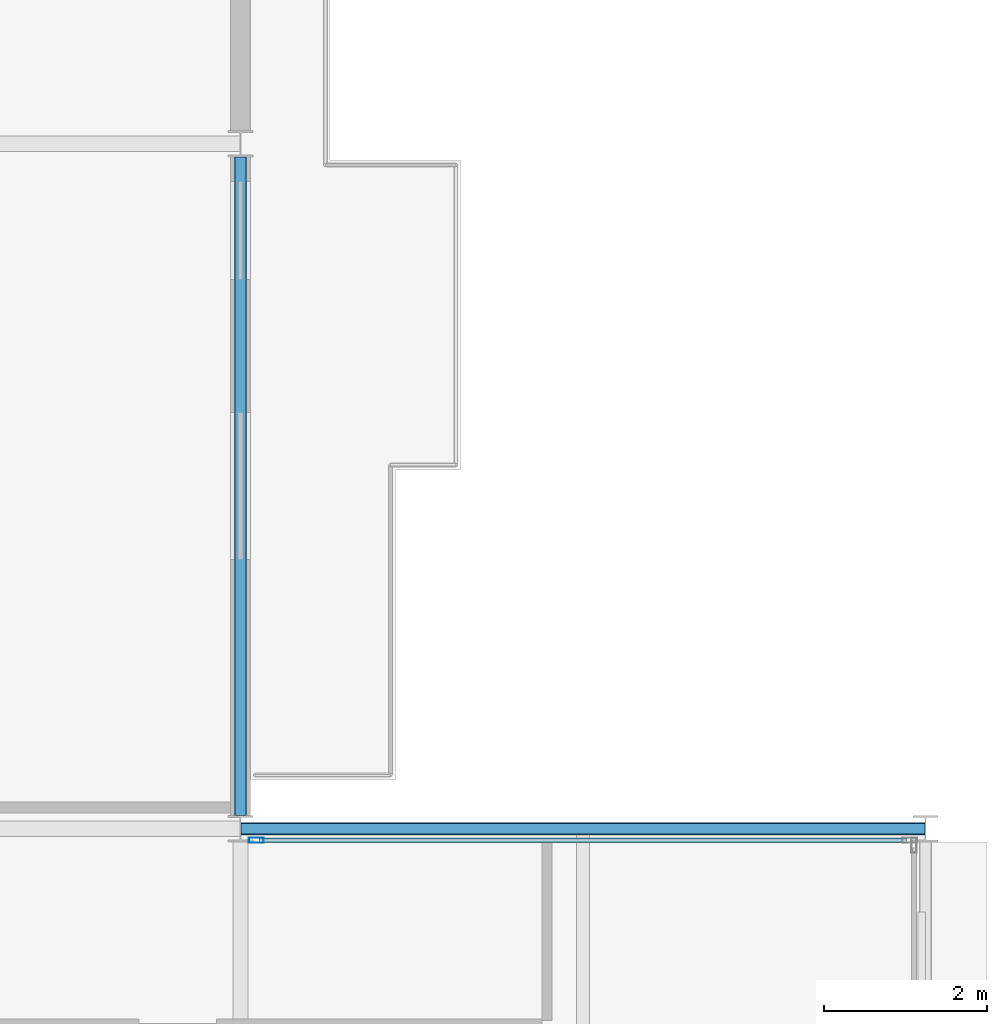
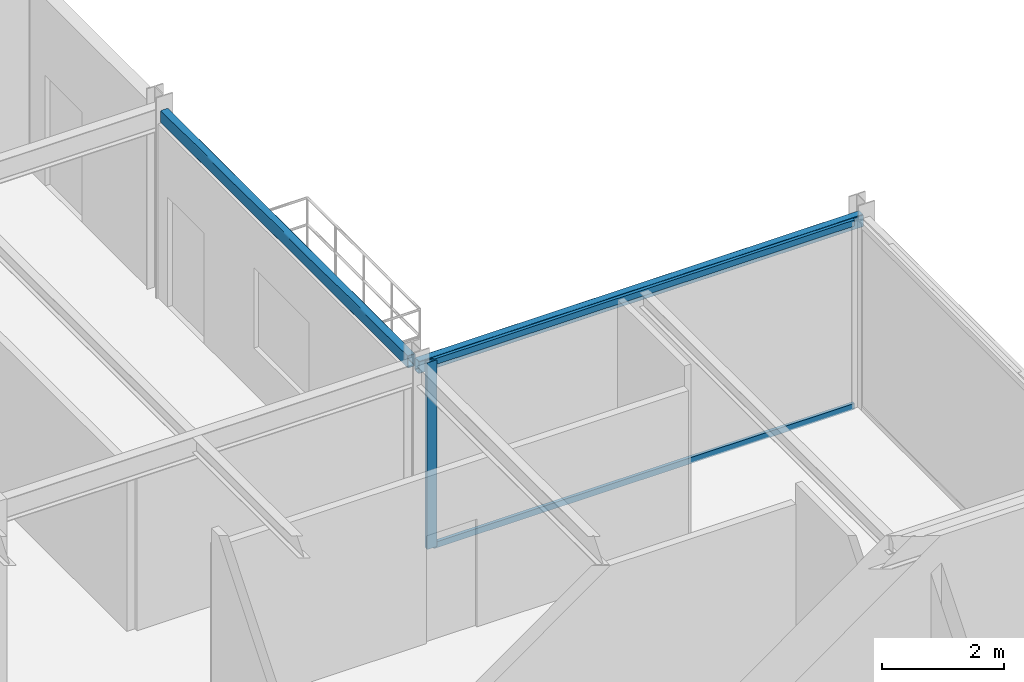
# One storey, part 13 of 25: 3 members, 2 beams, 1 element without a shape of its own.
"""IFC4 building model written with IfcOpenShell, lengths in metres."""

from ifc_helpers import new_model, si_unit, direction, frame, origin, origin_2d, place, context, subcontext, project, spatial, hollow_rectangle, extrude, material, layer, layer_set, material_profile, profile_set, type_object, element, aggregate, save


model = new_model("IFC4")

# Units and contexts
model_context = context("Model", 3, precision=1e-05, world=origin(), true_north=direction((0.0, 1.0)))
body_context = subcontext(model_context, "Body", "Model", "MODEL_VIEW")
ifc_project = project(units=[si_unit("LENGTHUNIT", "METRE"), si_unit("AREAUNIT", "SQUARE_METRE"), si_unit("VOLUMEUNIT", "CUBIC_METRE"), si_unit("PLANEANGLEUNIT", "RADIAN"), si_unit("MASSUNIT", "GRAM", prefix="KILO")], contexts=[model_context])

# Site, building, storey
site_placement = place(None, origin())
site = spatial("IfcSite", under=ifc_project, at=site_placement, CompositionType="ELEMENT")
building_placement = place(site_placement, origin())
building = spatial("IfcBuilding", under=site, at=building_placement, Name="Nerrivon Quay Data Exchange", CompositionType="ELEMENT")
storey_placement = place(building_placement, frame((0.0, 0.0, 302.199951171875)))
storey = spatial("IfcBuildingStorey", under=building, at=storey_placement, Name="L72", CompositionType="ELEMENT", Elevation=302.199951171875)

# Beams
ifc_material_1 = material(Name="Steel Grade C350L0 (350 MPa)", Category="steel")
ifc_material_profile_1 = material_profile(ifc_material_1, hollow_rectangle(XDim=0.14990234375, YDim=0.25, WallThickness=0.009033203125, InnerFilletRadius=0.013427734375, OuterFilletRadius=0.0224609375, at=origin_2d()), Name="250x150x9.0RHS")
ifc_profile_set_1 = profile_set([ifc_material_profile_1], Name="Steel Grade C350L0 (350 MPa)")
beam_type = type_object("IfcBeamType", Name="BM-SP4-250x150RHS", PredefinedType="SPANDREL", material=ifc_profile_set_1)
beam_1_placement = place(storey_placement, frame((25.2080078125, 25.199951171875, 3.60009765625), z_axis=(1.0, 0.0, 0.0), x_axis=(0.0, 1.0, 0.0)))
element("IfcBeam", 1, at=beam_1_placement, inside=storey, type_object=beam_type, Name="L72 EW Girder Y=25.2 (25.2..33.6)", PredefinedType="SPANDREL", context=body_context, shape_type="SweptSolid", body=[
    extrude(hollow_rectangle(XDim=0.14990234375, YDim=0.25, WallThickness=0.009033203125, InnerFilletRadius=0.013427734375, OuterFilletRadius=0.0224609375, at=origin_2d()), origin(), (0.0, 0.0, 1.0), 8.38427734375),
])
beam_2_placement = place(storey_placement, frame((25.199951171875, 25.363525390625, 3.60009765625), z_axis=(0.0, 1.0, 0.0), x_axis=(-1.0, 0.0, 0.0)))
element("IfcBeam", 2, at=beam_2_placement, inside=storey, type_object=beam_type, Name="L72 NS Girder X=25.2 (25.2..33.6)", PredefinedType="SPANDREL", context=body_context, shape_type="SweptSolid", body=[
    extrude(hollow_rectangle(XDim=0.14990234375, YDim=0.25, WallThickness=0.009033203125, InnerFilletRadius=0.013427734375, OuterFilletRadius=0.0224609375, at=origin_2d()), origin(), (0.0, 0.0, 1.0), 8.072998046875),
])

# Curtain wall, members
ifc_material_2 = material(Name="Anodised aluminium 6063-T6", Category="aluminium")
ifc_layer = layer(ifc_material_2, 0.195068359375)
ifc_layer_set = layer_set([ifc_layer], Name="Anodised aluminium 6063-T6")
curtain_wall_type = type_object("IfcCurtainWallType", Name="CW-SYS-06", PredefinedType="NOTDEFINED", material=ifc_layer_set)
curtain_wall_placement = place(storey_placement, origin())
curtain_wall = element("IfcCurtainWall", 3, at=curtain_wall_placement, inside=storey, type_object=curtain_wall_type, Name="L72 Unitised Curtain Wall 21", PredefinedType="NOTDEFINED")
ifc_material_profile_2 = material_profile(ifc_material_2, hollow_rectangle(XDim=0.06494140625, YDim=0.179931640625, WallThickness=0.00341796875, at=origin_2d()), Name="ALU-MULL-180x65")
ifc_profile_set_2 = profile_set([ifc_material_profile_2], Name="Anodised aluminium 6063-T6")
member_type_1 = type_object("IfcMemberType", Name="CWM-180x65", PredefinedType="MULLION", material=ifc_profile_set_2)
member_1_placement = place(storey_placement, frame((25.39306640625, 25.06005859375, 0.0), z_axis=(0.0, 0.0, 1.0), x_axis=(0.0, 1.0, 0.0)))
member_1 = element("IfcMember", 4, at=member_1_placement, type_object=member_type_1, Name="CW06 mullion 1", PredefinedType="MULLION", context=body_context, shape_type="SweptSolid", body=[
    extrude(hollow_rectangle(XDim=0.06494140625, YDim=0.179931640625, WallThickness=0.00341796875, at=origin_2d()), origin(), (0.0, 0.0, 1.0), 3.72509765625),
])
ifc_material_profile_3 = material_profile(ifc_material_2, hollow_rectangle(XDim=0.06005859375, YDim=0.1201171875, WallThickness=0.003173828125, at=origin_2d()), Name="ALU-TRAN-120x60")
ifc_profile_set_3 = profile_set([ifc_material_profile_3], Name="Anodised aluminium 6063-T6")
member_type_2 = type_object("IfcMemberType", Name="CWT-120x60", PredefinedType="USERDEFINED", material=ifc_profile_set_3)
member_2_placement = place(storey_placement, frame((25.430419921875, 25.06005859375, 0.032470703125), z_axis=(1.0, 0.0, 0.0), x_axis=(0.0, 1.0, 0.0)))
member_2 = element("IfcMember", 5, at=member_2_placement, type_object=member_type_2, Name="CW06 transom 1.1", ObjectType="TRANSOM", PredefinedType="USERDEFINED", context=body_context, shape_type="SweptSolid", body=[
    extrude(hollow_rectangle(XDim=0.06005859375, YDim=0.1201171875, WallThickness=0.003173828125, at=origin_2d()), origin(), (0.0, 0.0, 1.0), 7.93896484375),
])
member_3_placement = place(storey_placement, frame((25.430419921875, 25.06005859375, 3.692626953125), z_axis=(1.0, 0.0, 0.0), x_axis=(0.0, 1.0, 0.0)))
member_3 = element("IfcMember", 6, at=member_3_placement, type_object=member_type_2, Name="CW06 transom 1.2", ObjectType="TRANSOM", PredefinedType="USERDEFINED", context=body_context, shape_type="SweptSolid", body=[
    extrude(hollow_rectangle(XDim=0.06005859375, YDim=0.1201171875, WallThickness=0.003173828125, at=origin_2d()), origin(), (0.0, 0.0, 1.0), 7.93896484375),
])
aggregate(curtain_wall, [member_1, member_2, member_3])

save(model, "model.ifc")
